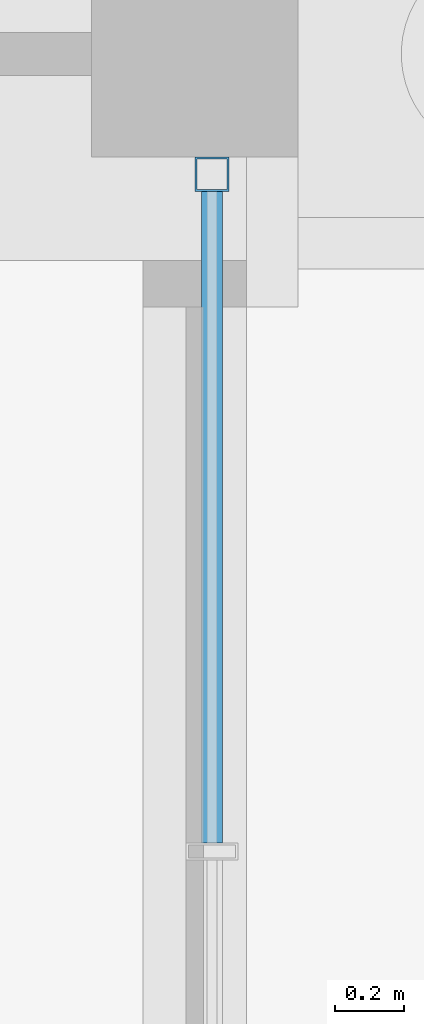
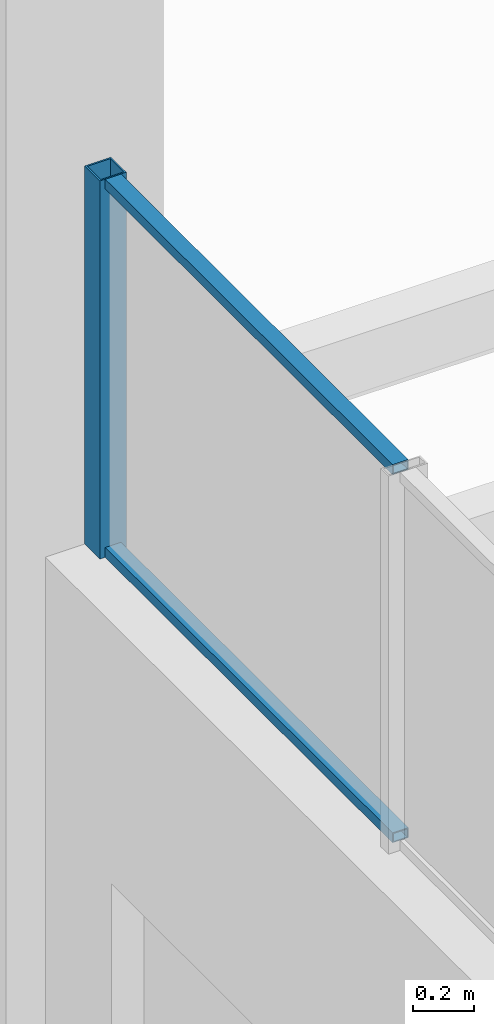
# One storey, part 59 of 129: 3 members, 1 element without a shape of its own.
"""IFC4 building model written with IfcOpenShell, lengths in metres."""

from ifc_helpers import new_model, si_unit, direction, frame, origin, origin_2d, place, context, subcontext, project, spatial, hollow_rectangle, extrude, material, layer, layer_set, material_profile, profile_set, type_object, element, aggregate, save


model = new_model("IFC4")

# Units and contexts
model_context = context("Model", 3, precision=1e-05, world=origin(), true_north=direction((0.0, 1.0)))
body_context = subcontext(model_context, "Body", "Model", "MODEL_VIEW")
ifc_project = project(units=[si_unit("LENGTHUNIT", "METRE"), si_unit("AREAUNIT", "SQUARE_METRE"), si_unit("VOLUMEUNIT", "CUBIC_METRE"), si_unit("PLANEANGLEUNIT", "RADIAN"), si_unit("MASSUNIT", "GRAM", prefix="KILO")], contexts=[model_context])

# Site, building, storey
site_placement = place(None, origin())
site = spatial("IfcSite", under=ifc_project, at=site_placement, CompositionType="ELEMENT")
building_placement = place(site_placement, origin())
building = spatial("IfcBuilding", under=site, at=building_placement, Name="Shirokan Park Arena", CompositionType="ELEMENT")
storey_placement = place(building_placement, origin())
storey = spatial("IfcBuildingStorey", under=building, at=storey_placement, Name="L00", CompositionType="ELEMENT", Elevation=0.0)

# Curtain wall, members
ifc_material_1 = material(Name="Steel and glass curtain wall", Category="steel")
ifc_layer = layer(ifc_material_1, 0.199951171875)
ifc_layer_set = layer_set([ifc_layer], Name="Steel and glass curtain wall 200 mm")
curtain_wall_type = type_object("IfcCurtainWallType", Name="Curtain wall shopfront bay 200", PredefinedType="NOTDEFINED", material=ifc_layer_set)
curtain_wall_placement = place(storey_placement, origin())
curtain_wall = element("IfcCurtainWall", 1, at=curtain_wall_placement, inside=storey, type_object=curtain_wall_type, Name="Curtain wall east bay 7 L00 clerestory 2", PredefinedType="NOTDEFINED")
ifc_material_2 = material(Name="Steel S355", Category="steel")
ifc_material_profile_1 = material_profile(ifc_material_2, hollow_rectangle(XDim=0.10009765625, YDim=0.10009765625, WallThickness=0.006103515625, at=origin_2d()), Name="RHS 100x100x6")
ifc_profile_set_1 = profile_set([ifc_material_profile_1], Name="Steel S355")
member_type_1 = type_object("IfcMemberType", Name="Mullion RHS 100x100x6", PredefinedType="MULLION", material=ifc_profile_set_1)
member_1_placement = place(storey_placement, frame((145.64990234375, 63.35009765625, 3.75), z_axis=(0.0, 0.0, 1.0), x_axis=(-1.0, 0.0, 0.0)))
member_1 = element("IfcMember", 2, at=member_1_placement, type_object=member_type_1, Name="CW4 mullion 3", PredefinedType="MULLION", context=body_context, shape_type="SweptSolid", body=[
    extrude(hollow_rectangle(XDim=0.10009765625, YDim=0.10009765625, WallThickness=0.006103515625, at=origin_2d()), origin(), (0.0, 0.0, 1.0), 1.52001953125),
])
ifc_material_profile_2 = material_profile(ifc_material_2, hollow_rectangle(XDim=0.06005859375, YDim=0.0400390625, WallThickness=0.00390625, at=origin_2d()), Name="RHS 60x40x4")
ifc_profile_set_2 = profile_set([ifc_material_profile_2], Name="Steel S355")
member_type_2 = type_object("IfcMemberType", Name="Transom RHS 60x40x4", PredefinedType="MULLION", material=ifc_profile_set_2)
member_2_placement = place(storey_placement, frame((145.64990234375, 61.407470703125, 3.77001953125), z_axis=(0.0, 1.0, 0.0), x_axis=(-1.0, 0.0, 0.0)))
member_2 = element("IfcMember", 3, at=member_2_placement, type_object=member_type_2, Name="CW4 transom 2.1", PredefinedType="MULLION", context=body_context, shape_type="SweptSolid", body=[
    extrude(hollow_rectangle(XDim=0.06005859375, YDim=0.0400390625, WallThickness=0.00390625, at=origin_2d()), origin(), (0.0, 0.0, 1.0), 1.892578125),
])
member_3_placement = place(storey_placement, frame((145.64990234375, 61.407470703125, 5.25), z_axis=(0.0, 1.0, 0.0), x_axis=(-1.0, 0.0, 0.0)))
member_3 = element("IfcMember", 4, at=member_3_placement, type_object=member_type_2, Name="CW4 transom 2.2", PredefinedType="MULLION", context=body_context, shape_type="SweptSolid", body=[
    extrude(hollow_rectangle(XDim=0.06005859375, YDim=0.0400390625, WallThickness=0.00390625, at=origin_2d()), origin(), (0.0, 0.0, 1.0), 1.892578125),
])
aggregate(curtain_wall, [member_1, member_2, member_3])

save(model, "model.ifc")
